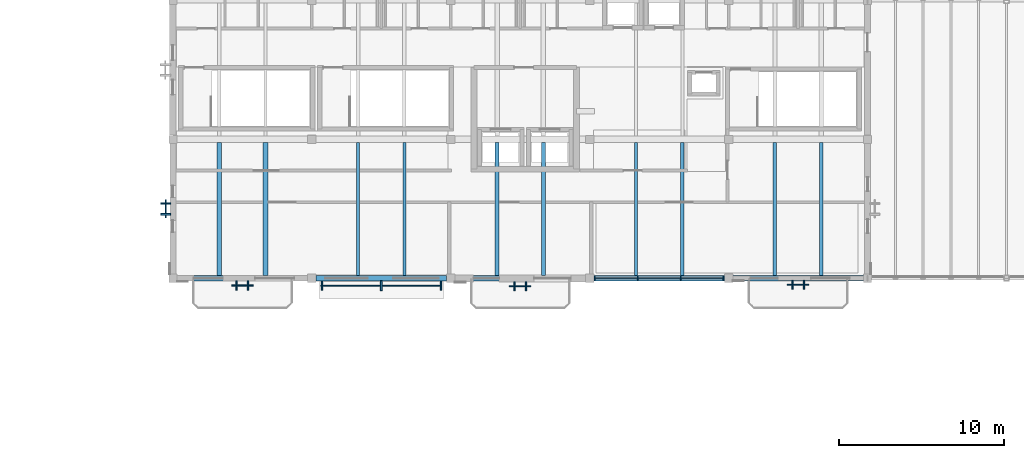
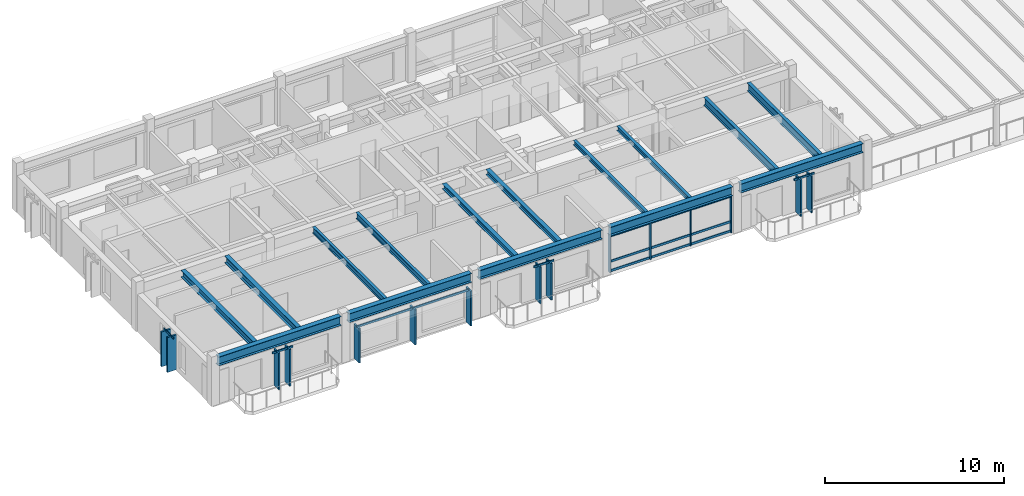
# One storey, part 5 of 24: 29 members, 15 beams, 6 elements without a shape of their own.
"""IFC4 building model written with IfcOpenShell, lengths in metres."""

from ifc_helpers import new_model, si_unit, direction, frame, origin, origin_2d, place, context, subcontext, project, spatial, rectangle, i_section, extrude, material, material_profile, profile_set, type_object, element, aggregate, save


model = new_model("IFC4")

# Units and contexts
model_context = context("Model", 3, precision=1e-05, world=origin(), true_north=direction((0.0, 1.0)))
body_context = subcontext(model_context, "Body", "Model", "MODEL_VIEW")
ifc_project = project(units=[si_unit("LENGTHUNIT", "METRE"), si_unit("AREAUNIT", "SQUARE_METRE"), si_unit("VOLUMEUNIT", "CUBIC_METRE"), si_unit("PLANEANGLEUNIT", "RADIAN"), si_unit("MASSUNIT", "GRAM", prefix="KILO")], contexts=[model_context])

# Site, building, storey
site_placement = place(None, origin())
site = spatial("IfcSite", under=ifc_project, at=site_placement, CompositionType="ELEMENT")
building_placement = place(site_placement, origin())
building = spatial("IfcBuilding", under=site, at=building_placement, Name="Cumbredor Promenade Congress Hotel", CompositionType="ELEMENT")
storey_placement = place(building_placement, frame((0.0, 0.0, 35.280029296875)))
storey = spatial("IfcBuildingStorey", under=building, at=storey_placement, Name="L10", CompositionType="ELEMENT", Elevation=35.280029296875)

# Beams
ifc_material_1 = material(Name="Steel ASTM A992 Grade 50", Category="steel")
ifc_material_profile_1 = material_profile(ifc_material_1, i_section(OverallWidth=0.323974609375, OverallDepth=0.611083984375, WebThickness=0.0126953125, FlangeThickness=0.01904296875, at=origin_2d()), Name="W24X104")
ifc_profile_set_1 = profile_set([ifc_material_profile_1], Name="Steel ASTM A992 Grade 50")
beam_type_1 = type_object("IfcBeamType", Name="BM-W24X104", PredefinedType="BEAM", material=ifc_profile_set_1)
beam_1_placement = place(storey_placement, frame((8.64990234375, 92.39990234375, 2.83447265625), z_axis=(1.0, 0.0, 0.0), x_axis=(0.0, 1.0, 0.0)))
element("IfcBeam", 1, at=beam_1_placement, inside=storey, type_object=beam_type_1, Name="RF X-Grid Beam 001", PredefinedType="BEAM", context=body_context, shape_type="SweptSolid", body=[
    extrude(i_section(OverallWidth=0.323974609375, OverallDepth=0.611083984375, WebThickness=0.0126953125, FlangeThickness=0.01904296875, at=origin_2d()), origin(), (0.0, 0.0, 1.0), 7.900146484375),
])
beam_2_placement = place(storey_placement, frame((17.050048828125, 92.39990234375, 2.83447265625), z_axis=(1.0, 0.0, 0.0), x_axis=(0.0, 1.0, 0.0)))
element("IfcBeam", 2, at=beam_2_placement, inside=storey, type_object=beam_type_1, Name="RF X-Grid Beam 005", PredefinedType="BEAM", context=body_context, shape_type="SweptSolid", body=[
    extrude(i_section(OverallWidth=0.323974609375, OverallDepth=0.611083984375, WebThickness=0.0126953125, FlangeThickness=0.01904296875, at=origin_2d()), origin(), (0.0, 0.0, 1.0), 7.89990234375),
])
beam_3_placement = place(storey_placement, frame((25.449951171875, 92.39990234375, 2.83447265625), z_axis=(1.0, 0.0, 0.0), x_axis=(0.0, 1.0, 0.0)))
element("IfcBeam", 3, at=beam_3_placement, inside=storey, type_object=beam_type_1, Name="RF X-Grid Beam 009", PredefinedType="BEAM", context=body_context, shape_type="SweptSolid", body=[
    extrude(i_section(OverallWidth=0.323974609375, OverallDepth=0.611083984375, WebThickness=0.0126953125, FlangeThickness=0.01904296875, at=origin_2d()), origin(), (0.0, 0.0, 1.0), 7.900146484375),
])
for number, where, z_axis, x_axis, name in (
    (4, (33.85009765625, 92.39990234375, 2.83447265625), (1.0, 0.0, 0.0), (0.0, 1.0, 0.0), "RF X-Grid Beam 013"),
    (5, (42.25, 92.39990234375, 2.83447265625), (1.0, 0.0, 0.0), (0.0, 1.0, 0.0), "RF X-Grid Beam 017"),
):
    element("IfcBeam", number, at=place(storey_placement, frame(where, z_axis=z_axis, x_axis=x_axis)), inside=storey, type_object=beam_type_1, Name=name, PredefinedType="BEAM", context=body_context, shape_type="SweptSolid", body=[
        extrude(i_section(OverallWidth=0.323974609375, OverallDepth=0.611083984375, WebThickness=0.0126953125, FlangeThickness=0.01904296875, at=origin_2d()), origin(), (0.0, 0.0, 1.0), 7.89990234375),
    ])

# Curtain wall, members
ifc_material_2 = material(Name="Thermally broken anodized aluminium and low-E glass", Category="aluminium")
curtain_wall_type_1 = type_object("IfcCurtainWallType", Name="Unitised Bronze Curtain Wall CW-01", PredefinedType="NOTDEFINED", material=ifc_material_2)
curtain_wall_1_placement = place(storey_placement, origin())
curtain_wall_1 = element("IfcCurtainWall", 6, at=curtain_wall_1_placement, inside=storey, type_object=curtain_wall_type_1, Name="L10 Stepped Congress Hotel Wing South Curtain Wall 4", PredefinedType="NOTDEFINED")
ifc_material_3 = material(Name="Thermally broken anodized aluminium", Category="aluminium")
ifc_material_profile_2 = material_profile(ifc_material_3, rectangle(XDim=0.074951171875, YDim=0.199951171875, at=origin_2d()), Name="ALU MULLION 75x200")
ifc_profile_set_2 = profile_set([ifc_material_profile_2], Name="Thermally broken anodized aluminium")
member_type_1 = type_object("IfcMemberType", Name="Curtain Wall Mullion ML-02", PredefinedType="MULLION", material=ifc_profile_set_2)
member_1_placement = place(storey_placement, frame((33.905029296875, 92.39990234375, -0.008056640625), z_axis=(0.0, 0.0, 1.0), x_axis=(1.0, 0.0, 0.0)))
member_1 = element("IfcMember", 7, at=member_1_placement, type_object=member_type_1, Name="L10 Stepped Congress Hotel Wing South Curtain Wall 4 Mullion 1", PredefinedType="MULLION", context=body_context, shape_type="SweptSolid", body=[
    extrude(rectangle(XDim=0.074951171875, YDim=0.199951171875, at=origin_2d()), origin(), (0.0, 0.0, 1.0), 2.530029296875),
])
member_2_placement = place(storey_placement, frame((36.501708984375, 92.39990234375, -0.008056640625), z_axis=(0.0, 0.0, 1.0), x_axis=(1.0, 0.0, 0.0)))
member_2 = element("IfcMember", 8, at=member_2_placement, type_object=member_type_1, Name="L10 Stepped Congress Hotel Wing South Curtain Wall 4 Mullion 2", PredefinedType="MULLION", context=body_context, shape_type="SweptSolid", body=[
    extrude(rectangle(XDim=0.074951171875, YDim=0.199951171875, at=origin_2d()), origin(), (0.0, 0.0, 1.0), 2.530029296875),
])
member_3_placement = place(storey_placement, frame((39.098388671875, 92.39990234375, -0.008056640625), z_axis=(0.0, 0.0, 1.0), x_axis=(1.0, 0.0, 0.0)))
member_3 = element("IfcMember", 9, at=member_3_placement, type_object=member_type_1, Name="L10 Stepped Congress Hotel Wing South Curtain Wall 4 Mullion 3", PredefinedType="MULLION", context=body_context, shape_type="SweptSolid", body=[
    extrude(rectangle(XDim=0.074951171875, YDim=0.199951171875, at=origin_2d()), origin(), (0.0, 0.0, 1.0), 2.530029296875),
])
member_4_placement = place(storey_placement, frame((41.695068359375, 92.39990234375, -0.008056640625), z_axis=(0.0, 0.0, 1.0), x_axis=(1.0, 0.0, 0.0)))
member_4 = element("IfcMember", 10, at=member_4_placement, type_object=member_type_1, Name="L10 Stepped Congress Hotel Wing South Curtain Wall 4 Mullion 4", PredefinedType="MULLION", context=body_context, shape_type="SweptSolid", body=[
    extrude(rectangle(XDim=0.074951171875, YDim=0.199951171875, at=origin_2d()), origin(), (0.0, 0.0, 1.0), 2.530029296875),
])

# Curtain wall, member
curtain_wall_type_2 = type_object("IfcCurtainWallType", Name="Solar Brise-Soleil Screen Assembly CW-07", PredefinedType="NOTDEFINED", material=ifc_material_2)
curtain_wall_2_placement = place(storey_placement, origin())
curtain_wall_2 = element("IfcCurtainWall", 11, at=curtain_wall_2_placement, inside=storey, type_object=curtain_wall_type_2, Name="L10 Veranda Solar Brise-Soleil Screen 1150", PredefinedType="NOTDEFINED")
ifc_material_profile_3 = material_profile(ifc_material_3, rectangle(XDim=0.06494140625, YDim=0.1298828125, at=origin_2d()), Name="ALU TRANSOM 65x130")
ifc_profile_set_3 = profile_set([ifc_material_profile_3], Name="Thermally broken anodized aluminium")
member_type_2 = type_object("IfcMemberType", Name="Curtain Wall Transom TR-01", PredefinedType="USERDEFINED", material=ifc_profile_set_3)
member_5_placement = place(storey_placement, frame((11.949951171875, 91.965087890625, 2.43408203125), z_axis=(1.0, 0.0, 0.0), x_axis=(0.0, 1.0, 0.0)))
member_5 = element("IfcMember", 12, at=member_5_placement, type_object=member_type_2, Name="L10 Brise-Soleil Header Tie 1152", ObjectType="TRANSOM", PredefinedType="USERDEFINED", context=body_context, shape_type="SweptSolid", body=[
    extrude(rectangle(XDim=0.06494140625, YDim=0.1298828125, at=origin_2d()), origin(), (0.0, 0.0, 1.0), 1.300048828125),
])

curtain_wall_3_placement = place(storey_placement, origin())
curtain_wall_3 = element("IfcCurtainWall", 13, at=curtain_wall_3_placement, inside=storey, type_object=curtain_wall_type_2, Name="L10 Hospitality Brise-Soleil Screen 117", PredefinedType="NOTDEFINED")
member_6_placement = place(storey_placement, frame((17.35107421875, 91.949951171875, 2.333984375), z_axis=(1.0, 0.0, 0.0), x_axis=(0.0, 1.0, 0.0)))
member_6 = element("IfcMember", 14, at=member_6_placement, type_object=member_type_2, Name="L10 Brise-Soleil Screen Transom 117", ObjectType="TRANSOM", PredefinedType="USERDEFINED", context=body_context, shape_type="SweptSolid", body=[
    extrude(rectangle(XDim=0.06494140625, YDim=0.1298828125, at=origin_2d()), origin(), (0.0, 0.0, 1.0), 7.2978515625),
])

curtain_wall_4_placement = place(storey_placement, origin())
curtain_wall_4 = element("IfcCurtainWall", 15, at=curtain_wall_4_placement, inside=storey, type_object=curtain_wall_type_2, Name="L10 Veranda Solar Brise-Soleil Screen 1156", PredefinedType="NOTDEFINED")
member_7_placement = place(storey_placement, frame((28.75, 91.927490234375, 2.43408203125), z_axis=(1.0, 0.0, 0.0), x_axis=(0.0, 1.0, 0.0)))
member_7 = element("IfcMember", 16, at=member_7_placement, type_object=member_type_2, Name="L10 Brise-Soleil Header Tie 1158", ObjectType="TRANSOM", PredefinedType="USERDEFINED", context=body_context, shape_type="SweptSolid", body=[
    extrude(rectangle(XDim=0.06494140625, YDim=0.1298828125, at=origin_2d()), origin(), (0.0, 0.0, 1.0), 1.300048828125),
])

curtain_wall_5_placement = place(storey_placement, origin())
curtain_wall_5 = element("IfcCurtainWall", 17, at=curtain_wall_5_placement, inside=storey, type_object=curtain_wall_type_2, Name="L10 Veranda Solar Brise-Soleil Screen 1159", PredefinedType="NOTDEFINED")
member_8_placement = place(storey_placement, frame((45.550048828125, 92.010009765625, 2.43408203125), z_axis=(1.0, 0.0, 0.0), x_axis=(0.0, 1.0, 0.0)))
member_8 = element("IfcMember", 18, at=member_8_placement, type_object=member_type_2, Name="L10 Brise-Soleil Header Tie 1161", ObjectType="TRANSOM", PredefinedType="USERDEFINED", context=body_context, shape_type="SweptSolid", body=[
    extrude(rectangle(XDim=0.06494140625, YDim=0.1298828125, at=origin_2d()), origin(), (0.0, 0.0, 1.0), 1.300048828125),
])

curtain_wall_6_placement = place(storey_placement, origin())
curtain_wall_6 = element("IfcCurtainWall", 19, at=curtain_wall_6_placement, inside=storey, type_object=curtain_wall_type_2, Name="L10 Pier Brise-Soleil Screen 1174", PredefinedType="NOTDEFINED")
member_9_placement = place(storey_placement, frame((7.965087890625, 96.050048828125, 2.35400390625), z_axis=(0.0, 1.0, 0.0), x_axis=(-1.0, 0.0, 0.0)))
member_9 = element("IfcMember", 20, at=member_9_placement, type_object=member_type_2, Name="L10 Pier Brise-Soleil Header 1176", ObjectType="TRANSOM", PredefinedType="USERDEFINED", context=body_context, shape_type="SweptSolid", body=[
    extrude(rectangle(XDim=0.06494140625, YDim=0.1298828125, at=origin_2d()), origin(), (0.0, 0.0, 1.0), 1.099853515625),
])

# Member
ifc_material_profile_4 = material_profile(ifc_material_3, rectangle(XDim=0.074951171875, YDim=0.14990234375, at=origin_2d()), Name="ALU TRANSOM 75x150")
ifc_profile_set_4 = profile_set([ifc_material_profile_4], Name="Thermally broken anodized aluminium")
member_type_3 = type_object("IfcMemberType", Name="Curtain Wall Transom TR-02", PredefinedType="USERDEFINED", material=ifc_profile_set_4)
member_10_placement = place(storey_placement, frame((33.9423828125, 92.39990234375, 0.080078125), z_axis=(1.0, 0.0, 0.0), x_axis=(0.0, 1.0, 0.0)))
member_10 = element("IfcMember", 21, at=member_10_placement, type_object=member_type_3, Name="L10 Stepped Congress Hotel Wing South Curtain Wall 4 Transom 1.1", ObjectType="TRANSOM", PredefinedType="USERDEFINED", context=body_context, shape_type="SweptSolid", body=[
    extrude(rectangle(XDim=0.074951171875, YDim=0.14990234375, at=origin_2d()), origin(), (0.0, 0.0, 1.0), 2.521728515625),
])

member_11_placement = place(storey_placement, frame((33.9423828125, 92.39990234375, 0.719970703125), z_axis=(1.0, 0.0, 0.0), x_axis=(0.0, 1.0, 0.0)))
member_11 = element("IfcMember", 22, at=member_11_placement, type_object=member_type_3, Name="L10 Stepped Congress Hotel Wing South Curtain Wall 4 Transom 1.2", ObjectType="TRANSOM", PredefinedType="USERDEFINED", context=body_context, shape_type="SweptSolid", body=[
    extrude(rectangle(XDim=0.074951171875, YDim=0.14990234375, at=origin_2d()), origin(), (0.0, 0.0, 1.0), 2.521728515625),
])

member_12_placement = place(storey_placement, frame((33.9423828125, 92.39990234375, 2.43994140625), z_axis=(1.0, 0.0, 0.0), x_axis=(0.0, 1.0, 0.0)))
member_12 = element("IfcMember", 23, at=member_12_placement, type_object=member_type_3, Name="L10 Stepped Congress Hotel Wing South Curtain Wall 4 Transom 1.3", ObjectType="TRANSOM", PredefinedType="USERDEFINED", context=body_context, shape_type="SweptSolid", body=[
    extrude(rectangle(XDim=0.074951171875, YDim=0.14990234375, at=origin_2d()), origin(), (0.0, 0.0, 1.0), 2.521728515625),
])

member_13_placement = place(storey_placement, frame((36.539306640625, 92.39990234375, 0.080078125), z_axis=(1.0, 0.0, 0.0), x_axis=(0.0, 1.0, 0.0)))
member_13 = element("IfcMember", 24, at=member_13_placement, type_object=member_type_3, Name="L10 Stepped Congress Hotel Wing South Curtain Wall 4 Transom 2.1", ObjectType="TRANSOM", PredefinedType="USERDEFINED", context=body_context, shape_type="SweptSolid", body=[
    extrude(rectangle(XDim=0.074951171875, YDim=0.14990234375, at=origin_2d()), origin(), (0.0, 0.0, 1.0), 2.521484375),
])

member_14_placement = place(storey_placement, frame((36.539306640625, 92.39990234375, 0.719970703125), z_axis=(1.0, 0.0, 0.0), x_axis=(0.0, 1.0, 0.0)))
member_14 = element("IfcMember", 25, at=member_14_placement, type_object=member_type_3, Name="L10 Stepped Congress Hotel Wing South Curtain Wall 4 Transom 2.2", ObjectType="TRANSOM", PredefinedType="USERDEFINED", context=body_context, shape_type="SweptSolid", body=[
    extrude(rectangle(XDim=0.074951171875, YDim=0.14990234375, at=origin_2d()), origin(), (0.0, 0.0, 1.0), 2.521484375),
])

member_15_placement = place(storey_placement, frame((36.539306640625, 92.39990234375, 2.43994140625), z_axis=(1.0, 0.0, 0.0), x_axis=(0.0, 1.0, 0.0)))
member_15 = element("IfcMember", 26, at=member_15_placement, type_object=member_type_3, Name="L10 Stepped Congress Hotel Wing South Curtain Wall 4 Transom 2.3", ObjectType="TRANSOM", PredefinedType="USERDEFINED", context=body_context, shape_type="SweptSolid", body=[
    extrude(rectangle(XDim=0.074951171875, YDim=0.14990234375, at=origin_2d()), origin(), (0.0, 0.0, 1.0), 2.521484375),
])

member_16_placement = place(storey_placement, frame((39.1357421875, 92.39990234375, 0.080078125), z_axis=(1.0, 0.0, 0.0), x_axis=(0.0, 1.0, 0.0)))
member_16 = element("IfcMember", 27, at=member_16_placement, type_object=member_type_3, Name="L10 Stepped Congress Hotel Wing South Curtain Wall 4 Transom 3.1", ObjectType="TRANSOM", PredefinedType="USERDEFINED", context=body_context, shape_type="SweptSolid", body=[
    extrude(rectangle(XDim=0.074951171875, YDim=0.14990234375, at=origin_2d()), origin(), (0.0, 0.0, 1.0), 2.521728515625),
])

member_17_placement = place(storey_placement, frame((39.1357421875, 92.39990234375, 0.719970703125), z_axis=(1.0, 0.0, 0.0), x_axis=(0.0, 1.0, 0.0)))
member_17 = element("IfcMember", 28, at=member_17_placement, type_object=member_type_3, Name="L10 Stepped Congress Hotel Wing South Curtain Wall 4 Transom 3.2", ObjectType="TRANSOM", PredefinedType="USERDEFINED", context=body_context, shape_type="SweptSolid", body=[
    extrude(rectangle(XDim=0.074951171875, YDim=0.14990234375, at=origin_2d()), origin(), (0.0, 0.0, 1.0), 2.521728515625),
])

member_18_placement = place(storey_placement, frame((39.1357421875, 92.39990234375, 2.43994140625), z_axis=(1.0, 0.0, 0.0), x_axis=(0.0, 1.0, 0.0)))
member_18 = element("IfcMember", 29, at=member_18_placement, type_object=member_type_3, Name="L10 Stepped Congress Hotel Wing South Curtain Wall 4 Transom 3.3", ObjectType="TRANSOM", PredefinedType="USERDEFINED", context=body_context, shape_type="SweptSolid", body=[
    extrude(rectangle(XDim=0.074951171875, YDim=0.14990234375, at=origin_2d()), origin(), (0.0, 0.0, 1.0), 2.521728515625),
])

aggregate(curtain_wall_1, [member_1, member_2, member_3, member_4, member_10, member_11, member_12, member_13, member_14, member_15, member_16, member_17, member_18])

# Beams
ifc_material_profile_5 = material_profile(ifc_material_1, i_section(OverallWidth=0.202880859375, OverallDepth=0.302978515625, WebThickness=0.007568359375, FlangeThickness=0.01318359375, at=origin_2d()), Name="W12X40")
ifc_profile_set_5 = profile_set([ifc_material_profile_5], Name="Steel ASTM A992 Grade 50")
beam_type_2 = type_object("IfcBeamType", Name="JST-W12X40", PredefinedType="JOIST", material=ifc_profile_set_5)
for number, where, z_axis, x_axis, name in (
    (30, (36.39990234375, 92.56201171875, 2.988525390625), (0.0, 1.0, 0.0), (-1.0, 0.0, 0.0), "RF Secondary Floor Joist 0013"),
    (31, (39.199951171875, 92.56201171875, 2.988525390625), (0.0, 1.0, 0.0), (-1.0, 0.0, 0.0), "RF Secondary Floor Joist 0014"),
):
    element("IfcBeam", number, at=place(storey_placement, frame(where, z_axis=z_axis, x_axis=x_axis)), inside=storey, type_object=beam_type_2, Name=name, PredefinedType="JOIST", context=body_context, shape_type="SweptSolid", body=[
        extrude(i_section(OverallWidth=0.202880859375, OverallDepth=0.302978515625, WebThickness=0.007568359375, FlangeThickness=0.01318359375, at=origin_2d()), origin(), (0.0, 0.0, 1.0), 8.0380859375),
    ])
ifc_material_profile_6 = material_profile(ifc_material_1, i_section(OverallWidth=0.2548828125, OverallDepth=0.35693359375, WebThickness=0.010498046875, FlangeThickness=0.018310546875, at=origin_2d()), Name="W14X68")
ifc_profile_set_6 = profile_set([ifc_material_profile_6], Name="Steel ASTM A992 Grade 50")
beam_type_3 = type_object("IfcBeamType", Name="JST-W14X68", PredefinedType="JOIST", material=ifc_profile_set_6)
for number, where, z_axis, x_axis, name in (
    (32, (28.0, 92.56201171875, 2.96142578125), (0.0, 1.0, 0.0), (-1.0, 0.0, 0.0), "RF Secondary Floor Joist 0009"),
    (33, (30.800048828125, 92.56201171875, 2.96142578125), (0.0, 1.0, 0.0), (-1.0, 0.0, 0.0), "RF Secondary Floor Joist 0010"),
):
    element("IfcBeam", number, at=place(storey_placement, frame(where, z_axis=z_axis, x_axis=x_axis)), inside=storey, type_object=beam_type_3, Name=name, PredefinedType="JOIST", context=body_context, shape_type="SweptSolid", body=[
        extrude(i_section(OverallWidth=0.2548828125, OverallDepth=0.35693359375, WebThickness=0.010498046875, FlangeThickness=0.018310546875, at=origin_2d()), origin(), (0.0, 0.0, 1.0), 8.0380859375),
    ])
ifc_material_profile_7 = material_profile(ifc_material_1, i_section(OverallWidth=0.180908203125, OverallDepth=0.4169921875, WebThickness=0.010986328125, FlangeThickness=0.018310546875, at=origin_2d()), Name="W16X57")
ifc_profile_set_7 = profile_set([ifc_material_profile_7], Name="Steel ASTM A992 Grade 50")
beam_type_4 = type_object("IfcBeamType", Name="JST-W16X57", PredefinedType="JOIST", material=ifc_profile_set_7)
for number, where, z_axis, x_axis, name in (
    (34, (19.60009765625, 92.56201171875, 2.931396484375), (0.0, 1.0, 0.0), (-1.0, 0.0, 0.0), "RF Secondary Floor Joist 0005"),
    (35, (22.39990234375, 92.56201171875, 2.931396484375), (0.0, 1.0, 0.0), (-1.0, 0.0, 0.0), "RF Secondary Floor Joist 0006"),
):
    element("IfcBeam", number, at=place(storey_placement, frame(where, z_axis=z_axis, x_axis=x_axis)), inside=storey, type_object=beam_type_4, Name=name, PredefinedType="JOIST", context=body_context, shape_type="SweptSolid", body=[
        extrude(i_section(OverallWidth=0.180908203125, OverallDepth=0.4169921875, WebThickness=0.010986328125, FlangeThickness=0.018310546875, at=origin_2d()), origin(), (0.0, 0.0, 1.0), 8.0380859375),
    ])
ifc_material_profile_8 = material_profile(ifc_material_1, i_section(OverallWidth=0.280029296875, OverallDepth=0.462890625, WebThickness=0.0107421875, FlangeThickness=0.017333984375, at=origin_2d()), Name="W18X76")
ifc_profile_set_8 = profile_set([ifc_material_profile_8], Name="Steel ASTM A992 Grade 50")
beam_type_5 = type_object("IfcBeamType", Name="JST-W18X76", PredefinedType="JOIST", material=ifc_profile_set_8)
for number, where, z_axis, x_axis, name in (
    (36, (11.199951171875, 92.56201171875, 2.908447265625), (0.0, 1.0, 0.0), (-1.0, 0.0, 0.0), "RF Secondary Floor Joist 0001"),
    (37, (14.0, 92.56201171875, 2.908447265625), (0.0, 1.0, 0.0), (-1.0, 0.0, 0.0), "RF Secondary Floor Joist 0002"),
):
    element("IfcBeam", number, at=place(storey_placement, frame(where, z_axis=z_axis, x_axis=x_axis)), inside=storey, type_object=beam_type_5, Name=name, PredefinedType="JOIST", context=body_context, shape_type="SweptSolid", body=[
        extrude(i_section(OverallWidth=0.280029296875, OverallDepth=0.462890625, WebThickness=0.0107421875, FlangeThickness=0.017333984375, at=origin_2d()), origin(), (0.0, 0.0, 1.0), 8.0380859375),
    ])
ifc_material_profile_9 = material_profile(ifc_material_1, i_section(OverallWidth=0.214111328125, OverallDepth=0.549072265625, WebThickness=0.0146484375, FlangeThickness=0.023681640625, at=origin_2d()), Name="W21X93")
ifc_profile_set_9 = profile_set([ifc_material_profile_9], Name="Steel ASTM A992 Grade 50")
beam_type_6 = type_object("IfcBeamType", Name="JST-W21X93", PredefinedType="JOIST", material=ifc_profile_set_9)
for number, where, z_axis, x_axis, name in (
    (38, (44.800048828125, 92.56201171875, 2.865478515625), (0.0, 1.0, 0.0), (-1.0, 0.0, 0.0), "RF Secondary Floor Joist 0017"),
    (39, (47.60009765625, 92.56201171875, 2.865478515625), (0.0, 1.0, 0.0), (-1.0, 0.0, 0.0), "RF Secondary Floor Joist 0018"),
):
    element("IfcBeam", number, at=place(storey_placement, frame(where, z_axis=z_axis, x_axis=x_axis)), inside=storey, type_object=beam_type_6, Name=name, PredefinedType="JOIST", context=body_context, shape_type="SweptSolid", body=[
        extrude(i_section(OverallWidth=0.214111328125, OverallDepth=0.549072265625, WebThickness=0.0146484375, FlangeThickness=0.023681640625, at=origin_2d()), origin(), (0.0, 0.0, 1.0), 8.0380859375),
    ])

# Member
ifc_material_profile_10 = material_profile(ifc_material_3, rectangle(XDim=0.110107421875, YDim=0.6201171875, at=origin_2d()), Name="ARCH FIN 110x620")
ifc_profile_set_10 = profile_set([ifc_material_profile_10], Name="Thermally broken anodized aluminium")
member_type_4 = type_object("IfcMemberType", Name="Vertical Bronze Brise-Soleil Fin BSF-02 110x620", PredefinedType="USERDEFINED", material=ifc_profile_set_10)
member_19_placement = place(storey_placement, frame((21.0, 91.949951171875, 0.02001953125), z_axis=(0.0, 0.0, 1.0), x_axis=(1.0, 0.0, 0.0)))
member_19 = element("IfcMember", 40, at=member_19_placement, type_object=member_type_4, Name="L10 Vertical Brise-Soleil Fin 1154", ObjectType="SOLAR FIN", PredefinedType="USERDEFINED", context=body_context, shape_type="SweptSolid", body=[
    extrude(rectangle(XDim=0.110107421875, YDim=0.6201171875, at=origin_2d()), origin(), (0.0, 0.0, 1.0), 2.3740234375),
])

member_20_placement = place(storey_placement, frame((7.965087890625, 96.280029296875, 0.02001953125), z_axis=(0.0, 0.0, 1.0), x_axis=(0.0, 1.0, 0.0)))
member_20 = element("IfcMember", 41, at=member_20_placement, type_object=member_type_4, Name="L10 Pier Brise-Soleil Fin 1175", ObjectType="SOLAR FIN", PredefinedType="USERDEFINED", context=body_context, shape_type="SweptSolid", body=[
    extrude(rectangle(XDim=0.110107421875, YDim=0.6201171875, at=origin_2d()), origin(), (0.0, 0.0, 1.0), 2.3740234375),
])

member_21_placement = place(storey_placement, frame((7.965087890625, 96.919921875, 0.02001953125), z_axis=(0.0, 0.0, 1.0), x_axis=(0.0, 1.0, 0.0)))
member_21 = element("IfcMember", 42, at=member_21_placement, type_object=member_type_4, Name="L10 Pier Brise-Soleil Fin 1176", ObjectType="SOLAR FIN", PredefinedType="USERDEFINED", context=body_context, shape_type="SweptSolid", body=[
    extrude(rectangle(XDim=0.110107421875, YDim=0.6201171875, at=origin_2d()), origin(), (0.0, 0.0, 1.0), 2.3740234375),
])

aggregate(curtain_wall_6, [member_20, member_21, member_9])

ifc_material_4 = material(Name="Kiln-dried tropical hardwood", Category="wood")
ifc_material_profile_11 = material_profile(ifc_material_4, rectangle(XDim=0.090087890625, YDim=0.550048828125, at=origin_2d()), Name="ARCH FIN 90x550")
ifc_profile_set_11 = profile_set([ifc_material_profile_11], Name="Kiln-dried tropical hardwood")
member_type_5 = type_object("IfcMemberType", Name="Vertical Hardwood Brise-Soleil Fin BSF-01 90x550", PredefinedType="USERDEFINED", material=ifc_profile_set_11)
member_22_placement = place(storey_placement, frame((12.25, 91.965087890625, -0.010009765625), z_axis=(0.0, 0.0, 1.0), x_axis=(1.0, 0.0, 0.0)))
member_22 = element("IfcMember", 43, at=member_22_placement, type_object=member_type_5, Name="L10 Vertical Hardwood Brise-Soleil Fin 1151", ObjectType="SOLAR FIN", PredefinedType="USERDEFINED", context=body_context, shape_type="SweptSolid", body=[
    extrude(rectangle(XDim=0.090087890625, YDim=0.550048828125, at=origin_2d()), origin(), (0.0, 0.0, 1.0), 2.50390625),
])

member_23_placement = place(storey_placement, frame((12.949951171875, 91.965087890625, -0.010009765625), z_axis=(0.0, 0.0, 1.0), x_axis=(1.0, 0.0, 0.0)))
member_23 = element("IfcMember", 44, at=member_23_placement, type_object=member_type_5, Name="L10 Vertical Hardwood Brise-Soleil Fin 1152", ObjectType="SOLAR FIN", PredefinedType="USERDEFINED", context=body_context, shape_type="SweptSolid", body=[
    extrude(rectangle(XDim=0.090087890625, YDim=0.550048828125, at=origin_2d()), origin(), (0.0, 0.0, 1.0), 2.50390625),
])

aggregate(curtain_wall_2, [member_22, member_23, member_5])

member_24_placement = place(storey_placement, frame((17.40087890625, 91.949951171875, 0.02001953125), z_axis=(0.0, 0.0, 1.0), x_axis=(1.0, 0.0, 0.0)))
member_24 = element("IfcMember", 45, at=member_24_placement, type_object=member_type_5, Name="L10 Vertical Brise-Soleil Fin 1153", ObjectType="SOLAR FIN", PredefinedType="USERDEFINED", context=body_context, shape_type="SweptSolid", body=[
    extrude(rectangle(XDim=0.090087890625, YDim=0.550048828125, at=origin_2d()), origin(), (0.0, 0.0, 1.0), 2.3740234375),
])

member_25_placement = place(storey_placement, frame((24.59912109375, 91.949951171875, 0.02001953125), z_axis=(0.0, 0.0, 1.0), x_axis=(1.0, 0.0, 0.0)))
member_25 = element("IfcMember", 46, at=member_25_placement, type_object=member_type_5, Name="L10 Vertical Brise-Soleil Fin 1155", ObjectType="SOLAR FIN", PredefinedType="USERDEFINED", context=body_context, shape_type="SweptSolid", body=[
    extrude(rectangle(XDim=0.090087890625, YDim=0.550048828125, at=origin_2d()), origin(), (0.0, 0.0, 1.0), 2.3740234375),
])

aggregate(curtain_wall_3, [member_6, member_24, member_19, member_25])

member_26_placement = place(storey_placement, frame((29.050048828125, 91.927490234375, -0.010009765625), z_axis=(0.0, 0.0, 1.0), x_axis=(1.0, 0.0, 0.0)))
member_26 = element("IfcMember", 47, at=member_26_placement, type_object=member_type_5, Name="L10 Vertical Hardwood Brise-Soleil Fin 1157", ObjectType="SOLAR FIN", PredefinedType="USERDEFINED", context=body_context, shape_type="SweptSolid", body=[
    extrude(rectangle(XDim=0.090087890625, YDim=0.550048828125, at=origin_2d()), origin(), (0.0, 0.0, 1.0), 2.50390625),
])

member_27_placement = place(storey_placement, frame((29.75, 91.927490234375, -0.010009765625), z_axis=(0.0, 0.0, 1.0), x_axis=(1.0, 0.0, 0.0)))
member_27 = element("IfcMember", 48, at=member_27_placement, type_object=member_type_5, Name="L10 Vertical Hardwood Brise-Soleil Fin 1158", ObjectType="SOLAR FIN", PredefinedType="USERDEFINED", context=body_context, shape_type="SweptSolid", body=[
    extrude(rectangle(XDim=0.090087890625, YDim=0.550048828125, at=origin_2d()), origin(), (0.0, 0.0, 1.0), 2.50390625),
])

aggregate(curtain_wall_4, [member_26, member_27, member_7])

member_28_placement = place(storey_placement, frame((45.85009765625, 92.010009765625, -0.010009765625), z_axis=(0.0, 0.0, 1.0), x_axis=(1.0, 0.0, 0.0)))
member_28 = element("IfcMember", 49, at=member_28_placement, type_object=member_type_5, Name="L10 Vertical Hardwood Brise-Soleil Fin 1160", ObjectType="SOLAR FIN", PredefinedType="USERDEFINED", context=body_context, shape_type="SweptSolid", body=[
    extrude(rectangle(XDim=0.090087890625, YDim=0.550048828125, at=origin_2d()), origin(), (0.0, 0.0, 1.0), 2.50390625),
])

member_29_placement = place(storey_placement, frame((46.550048828125, 92.010009765625, -0.010009765625), z_axis=(0.0, 0.0, 1.0), x_axis=(1.0, 0.0, 0.0)))
member_29 = element("IfcMember", 50, at=member_29_placement, type_object=member_type_5, Name="L10 Vertical Hardwood Brise-Soleil Fin 1161", ObjectType="SOLAR FIN", PredefinedType="USERDEFINED", context=body_context, shape_type="SweptSolid", body=[
    extrude(rectangle(XDim=0.090087890625, YDim=0.550048828125, at=origin_2d()), origin(), (0.0, 0.0, 1.0), 2.50390625),
])

aggregate(curtain_wall_5, [member_28, member_29, member_8])

save(model, "model.ifc")
